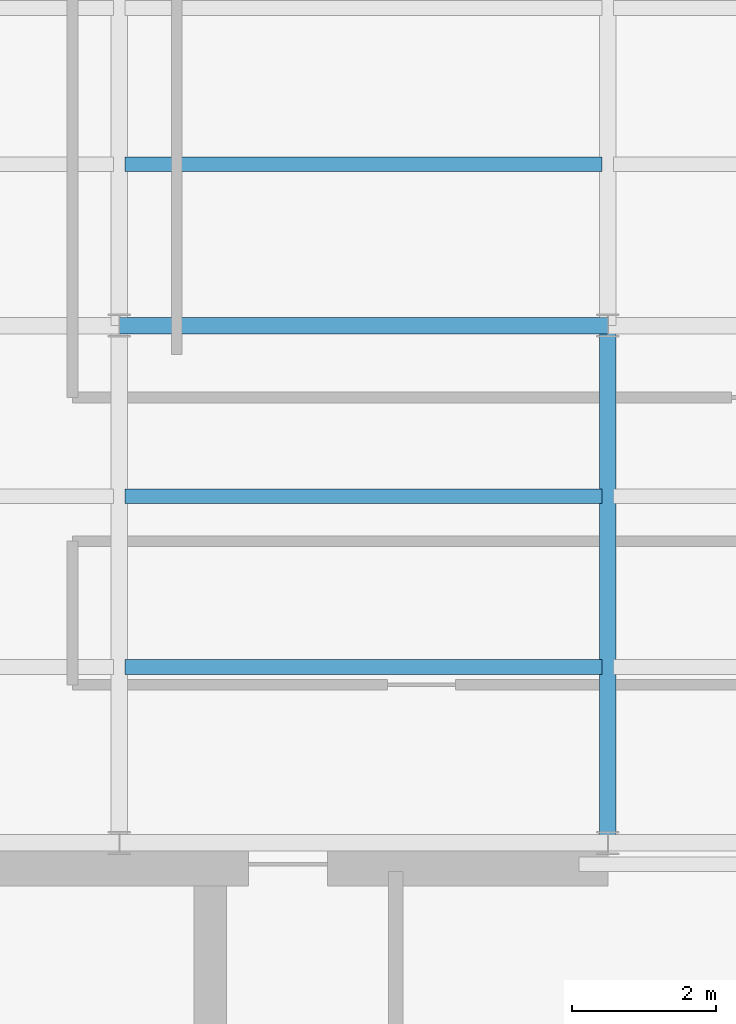
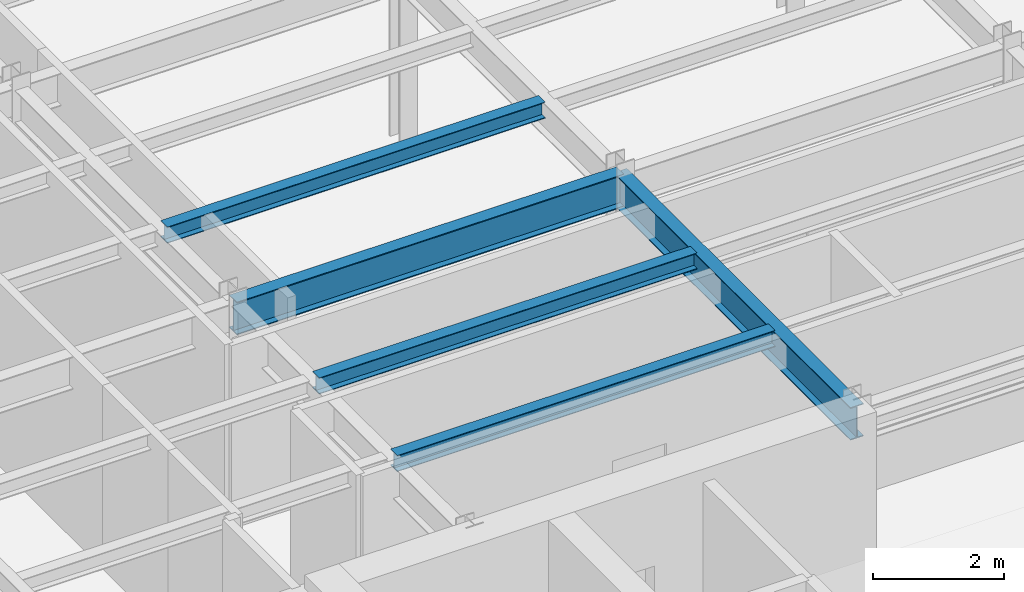
# One storey, part 6 of 22: 5 beams.
"""IFC4 building model written with IfcOpenShell, lengths in metres."""

from ifc_helpers import new_model, si_unit, derived_unit, direction, frame, origin, origin_2d, place, context, subcontext, project, spatial, i_section, extrude, source, transform, mapped, material, material_profile, profile_set, type_object, element, save


model = new_model("IFC4")

# Units and contexts
model_context = context("Model", 3, precision=1e-05, world=origin(), true_north=direction((0.0, 1.0)))
body_context = subcontext(model_context, "Body", "Model", "MODEL_VIEW")
ifc_project = project(units=[si_unit("LENGTHUNIT", "METRE"), si_unit("AREAUNIT", "SQUARE_METRE"), si_unit("VOLUMEUNIT", "CUBIC_METRE"), si_unit("PLANEANGLEUNIT", "RADIAN"), si_unit("MASSUNIT", "GRAM", prefix="KILO"), derived_unit("THERMALTRANSMITTANCEUNIT", [(si_unit("POWERUNIT", "WATT"), 1), (si_unit("LENGTHUNIT", "METRE"), -2), (si_unit("THERMODYNAMICTEMPERATUREUNIT", "KELVIN"), -1)])], contexts=[model_context])

# Site, building, storey
site_placement = place(None, origin())
site = spatial("IfcSite", under=ifc_project, at=site_placement, CompositionType="ELEMENT")
building_placement = place(site_placement, origin())
building = spatial("IfcBuilding", under=site, at=building_placement, Name="Skarnbrae Concourse Arena and Tower", CompositionType="ELEMENT")
storey_placement = place(building_placement, frame((0.0, 0.0, 262.449951171875)))
storey = spatial("IfcBuildingStorey", under=building, at=storey_placement, Name="L68", CompositionType="ELEMENT", Elevation=262.449951171875)

# Beams
ifc_material = material(Name="Steel CSA G40.21 350W", Category="steel")
ifc_material_profile_1 = material_profile(ifc_material, i_section(OverallWidth=0.22802734375, OverallDepth=0.60791015625, WebThickness=0.01123046875, FlangeThickness=0.017333984375, at=origin_2d()), Name="W610X113")
ifc_profile_set_1 = profile_set([ifc_material_profile_1], Name="Steel CSA G40.21 350W")
beam_type_1 = type_object("IfcBeamType", Name="BM-GIRD-W610X113", PredefinedType="BEAM", material=ifc_profile_set_1)
shared_shape_1 = source(origin(), body_context, "Body", "SweptSolid", [
    extrude(i_section(OverallWidth=0.22802734375, OverallDepth=0.60791015625, WebThickness=0.01123046875, FlangeThickness=0.017333984375, at=origin_2d()), origin(), (0.0, 0.0, 1.0), 6.7998046875),
])
beam_1_placement = place(storey_placement, frame((7.60009765625, 21.199951171875, 3.095947265625), z_axis=(1.0, 0.0, 0.0), x_axis=(0.0, 1.0, 0.0)))
element("IfcBeam", 1, at=beam_1_placement, inside=storey, type_object=beam_type_1, Name="L68 Primary E-W girder Y21.2-2", PredefinedType="BEAM", context=body_context, shape_type="MappedRepresentation", body=[
    mapped(shared_shape_1, transform((0.0, 0.0, 0.0))),
])
shared_shape_2 = source(origin(), body_context, "Body", "SweptSolid", [
    extrude(i_section(OverallWidth=0.22802734375, OverallDepth=0.60791015625, WebThickness=0.01123046875, FlangeThickness=0.017333984375, at=origin_2d()), origin(), (0.0, 0.0, 1.0), 7.199951171875),
])
beam_2_placement = place(storey_placement, frame((14.39990234375, 14.0, 3.095947265625), z_axis=(0.0, 1.0, 0.0), x_axis=(-1.0, 0.0, 0.0)))
element("IfcBeam", 2, at=beam_2_placement, inside=storey, type_object=beam_type_1, Name="L68 Primary N-S girder X14.4-1", PredefinedType="BEAM", context=body_context, shape_type="MappedRepresentation", body=[
    mapped(shared_shape_2, transform((0.0, 0.0, 0.0))),
])
ifc_material_profile_2 = material_profile(ifc_material, i_section(OverallWidth=0.202880859375, OverallDepth=0.302978515625, WebThickness=0.007568359375, FlangeThickness=0.01318359375, at=origin_2d()), Name="W310X60")
ifc_profile_set_2 = profile_set([ifc_material_profile_2], Name="Steel CSA G40.21 350W")
beam_type_2 = type_object("IfcBeamType", Name="BM-JOIST-W310X60", PredefinedType="JOIST", material=ifc_profile_set_2)
shared_shape_3 = source(origin(), body_context, "Body", "SweptSolid", [
    extrude(i_section(OverallWidth=0.202880859375, OverallDepth=0.302978515625, WebThickness=0.007568359375, FlangeThickness=0.01318359375, at=origin_2d()), origin(), (0.0, 0.0, 1.0), 6.64013671875),
])
for number, where, z_axis, x_axis, name in (
    (3, (7.679931640625, 16.447998046875, 3.24853515625), (1.0, 0.0, 0.0), (0.0, 1.0, 0.0), "L68 Secondary floor joist 1.1.2"),
    (4, (7.679931640625, 18.823974609375, 3.24853515625), (1.0, 0.0, 0.0), (0.0, 1.0, 0.0), "L68 Secondary floor joist 1.2.2"),
    (5, (7.679931640625, 23.444091796875, 3.24853515625), (1.0, 0.0, 0.0), (0.0, 1.0, 0.0), "L68 Secondary floor joist 2.1.2"),
):
    element("IfcBeam", number, at=place(storey_placement, frame(where, z_axis=z_axis, x_axis=x_axis)), inside=storey, type_object=beam_type_2, Name=name, PredefinedType="JOIST", context=body_context, shape_type="MappedRepresentation", body=[
        mapped(shared_shape_3, transform((0.0, 0.0, 0.0))),
    ])

save(model, "model.ifc")
